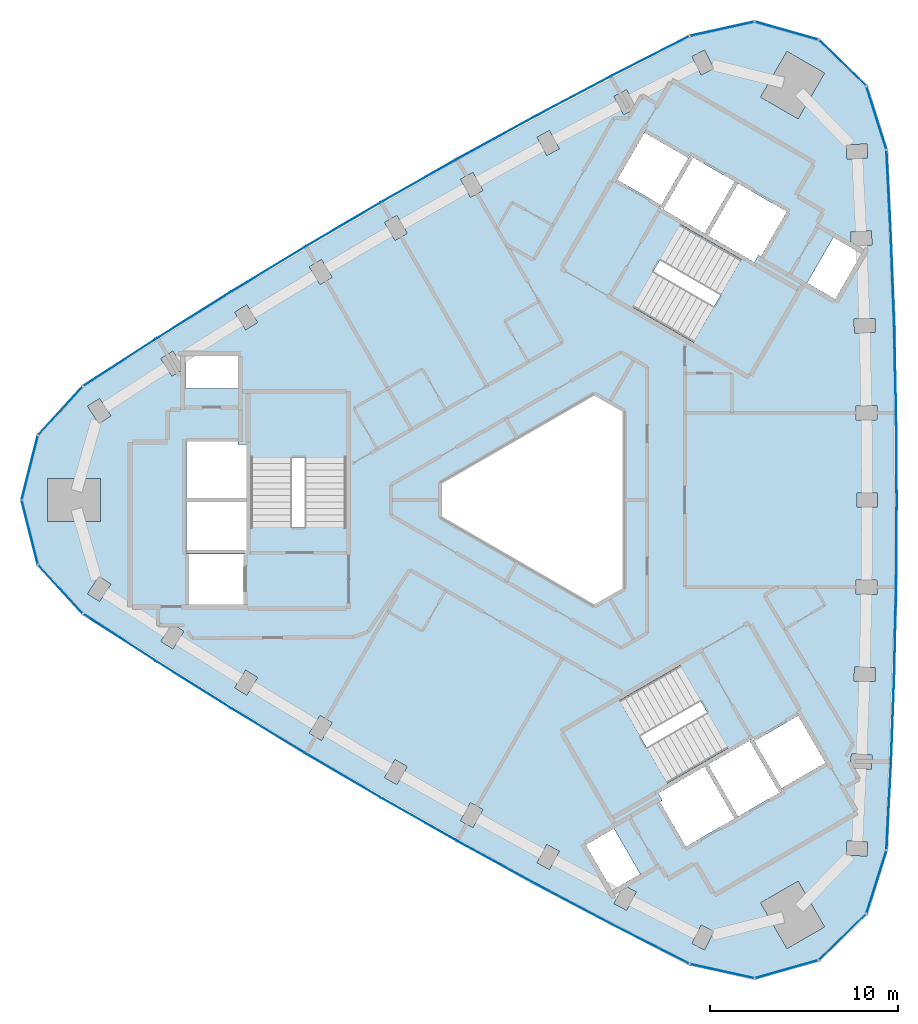
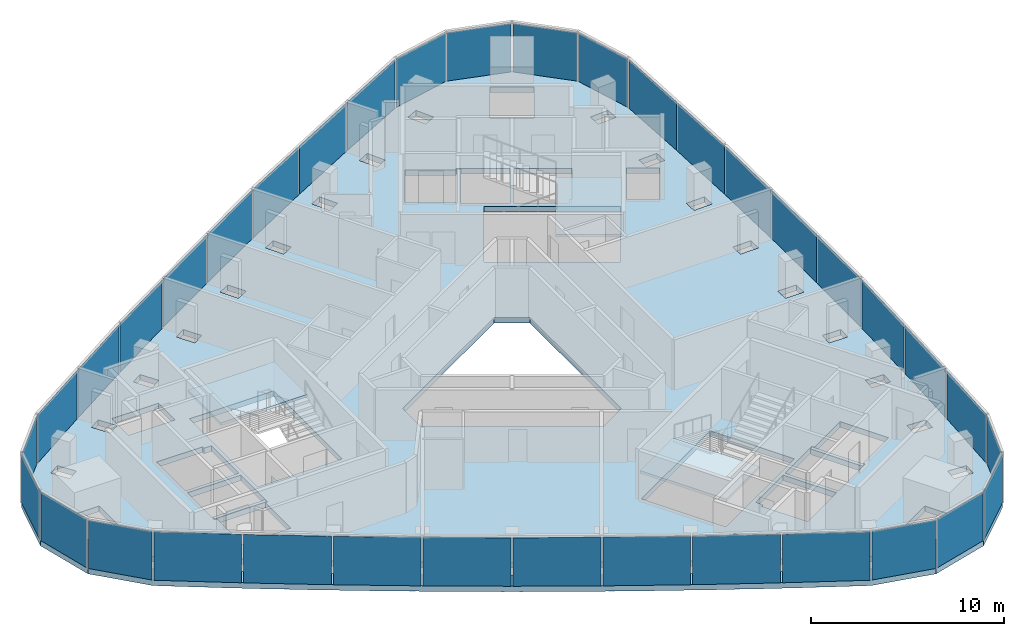
# One storey, part 6 of 11: 36 plates, 4 slabs, 6 elements without a shape of their own.
"""IFC4 building model written with IfcOpenShell, lengths in metres."""

from ifc_helpers import new_model, si_unit, direction, frame, origin, origin_2d, place, context, subcontext, project, spatial, polyline, rectangle, outline, extrude, material, layer, layer_set, type_object, element, aggregate, save


model = new_model("IFC4")

# Units and contexts
model_context = context("Model", 3, precision=1e-05, world=origin(), true_north=direction((0.0, 1.0)))
body_context = subcontext(model_context, "Body", "Model", "MODEL_VIEW")
ifc_project = project(units=[si_unit("LENGTHUNIT", "METRE"), si_unit("AREAUNIT", "SQUARE_METRE"), si_unit("VOLUMEUNIT", "CUBIC_METRE"), si_unit("PLANEANGLEUNIT", "RADIAN"), si_unit("MASSUNIT", "GRAM", prefix="KILO")], contexts=[model_context])

# Site, building, storey
site_placement = place(None, origin())
site = spatial("IfcSite", under=ifc_project, at=site_placement, CompositionType="ELEMENT")
building_placement = place(site_placement, origin())
building = spatial("IfcBuilding", under=site, at=building_placement, Name="Tamra Quay Hotel Tower", CompositionType="ELEMENT")
storey_placement = place(building_placement, frame((0.0, 0.0, 253.800048828125)))
storey = spatial("IfcBuildingStorey", under=building, at=storey_placement, Name="L64", CompositionType="ELEMENT", Elevation=253.800048828125)

# Stair, slab
ifc_material_1 = material(Name="Exit stair 2200 24 risers 150.0 going 342")
stair_type = type_object("IfcStairType", Name="Exit stair 2200 24 risers 150.0 going 342", PredefinedType="HALF_TURN_STAIR", material=ifc_material_1)
stair_1_placement = place(storey_placement, origin())
stair_1 = element("IfcStair", 1, at=stair_1_placement, inside=storey, type_object=stair_type, Name="L64 Exit stair ST3", PredefinedType="HALF_TURN_STAIR")
ifc_material_2 = material(Name="Concrete M70", Category="concrete")
ifc_layer_1 = layer(ifc_material_2, 0.175048828125)
ifc_layer_set_1 = layer_set([ifc_layer_1], Name="Concrete M70 stair landing 180")
slab_type_1 = type_object("IfcSlabType", Name="Concrete M70 stair landing 180", PredefinedType="LANDING", material=ifc_layer_set_1)
slab_1_placement = place(storey_placement, frame((0.0, 0.0, 1.625)))
slab_1 = element("IfcSlab", 2, at=slab_1_placement, type_object=slab_type_1, Name="ST3 landing 1", PredefinedType="LANDING", context=body_context, shape_type="SweptSolid", body=[
    extrude(outline(polyline([(-10.932373046875, 2.261962890625), (-10.932373046875, 5.679931640625), (-16.09130859375, 5.679931640625), (-16.09130859375, 2.261962890625), (-10.932373046875, 2.261962890625)])), origin(), (0.0, 0.0, 1.0), 0.175048828125),
])
aggregate(stair_1, [slab_1])

stair_2_placement = place(storey_placement, origin())
stair_2 = element("IfcStair", 3, at=stair_2_placement, inside=storey, type_object=stair_type, Name="L64 Exit stair ST1", PredefinedType="HALF_TURN_STAIR")
slab_2_placement = place(storey_placement, frame((0.0, 0.0, 1.625)))
slab_2 = element("IfcSlab", 4, at=slab_2_placement, type_object=slab_type_1, Name="ST1 landing 1", PredefinedType="LANDING", context=body_context, shape_type="SweptSolid", body=[
    extrude(outline(polyline([(7.425048828125, 8.336669921875), (10.385009765625, 6.627685546875), (12.964599609375, 11.095458984375), (10.00439453125, 12.804443359375), (7.425048828125, 8.336669921875)])), origin(), (0.0, 0.0, 1.0), 0.175048828125),
])
aggregate(stair_2, [slab_2])

stair_3_placement = place(storey_placement, origin())
stair_3 = element("IfcStair", 5, at=stair_3_placement, inside=storey, type_object=stair_type, Name="L64 Exit stair ST2", PredefinedType="HALF_TURN_STAIR")
slab_3_placement = place(storey_placement, frame((0.0, 0.0, 1.625)))
slab_3 = element("IfcSlab", 6, at=slab_3_placement, type_object=slab_type_1, Name="ST2 landing 1", PredefinedType="LANDING", context=body_context, shape_type="SweptSolid", body=[
    extrude(outline(polyline([(3.50732421875, -10.5986328125), (0.547119140625, -12.3076171875), (3.126708984375, -16.775390625), (6.086669921875, -15.06640625), (3.50732421875, -10.5986328125)])), origin(), (0.0, 0.0, 1.0), 0.175048828125),
])
aggregate(stair_3, [slab_3])

# Slab
ifc_material_3 = material(Name="Concrete M60", Category="concrete")
ifc_layer_2 = layer(ifc_material_3, 0.35009765625)
ifc_layer_set_2 = layer_set([ifc_layer_2], Name="FLOOR SLAB PT 350")
slab_type_2 = type_object("IfcSlabType", Name="FLOOR SLAB PT 350", PredefinedType="FLOOR", material=ifc_layer_set_2)
slab_4_placement = place(storey_placement, frame((0.0, 0.0, -0.35009765625)))
element("IfcSlab", 7, at=slab_4_placement, inside=storey, type_object=slab_type_2, Name="SLAB-L64", PredefinedType="FLOOR", context=body_context, shape_type="SweptSolid", body=[
    extrude(outline(polyline([(17.935791015625, 13.94091796875), (18.106689453125, 9.29541015625), (18.208984375, 4.648681640625), (18.243408203125, 0.0), (18.208984375, -4.648681640625), (18.106689453125, -9.29541015625), (17.935791015625, -13.94091796875), (17.69677734375, -18.5830078125), (16.633056640625, -21.9541015625), (14.09716796875, -24.4169921875), (10.6962890625, -25.3818359375), (7.244873046875, -24.617431640625), (3.105224609375, -22.50341796875), (-1.00341796875, -20.328369140625), (-5.078857421875, -18.093994140625), (-9.12158203125, -15.79931640625), (-13.13037109375, -13.4453125), (-17.103271484375, -11.033203125), (-21.041015625, -8.5625), (-24.941650390625, -6.034423828125), (-27.329345703125, -3.427490234375), (-28.1943359375, 0.0), (-27.329345703125, 3.427490234375), (-24.941650390625, 6.034423828125), (-21.041015625, 8.5625), (-17.103271484375, 11.033203125), (-13.13037109375, 13.4453125), (-9.12158203125, 15.79931640625), (-5.078857421875, 18.093994140625), (-1.00341796875, 20.328369140625), (3.105224609375, 22.50341796875), (7.244873046875, 24.617431640625), (10.6962890625, 25.3818359375), (14.09716796875, 24.4169921875), (16.633056640625, 21.9541015625), (17.69677734375, 18.5830078125), (17.935791015625, 13.94091796875)]), holes=[polyline([(-8.9345703125, -14.724853515625), (-8.284912109375, -15.099853515625), (-7.73486328125, -14.147216796875), (-8.384521484375, -13.772216796875), (-8.9345703125, -14.724853515625)]), polyline([(-12.927001953125, -12.373779296875), (-12.283203125, -12.758544921875), (-11.718994140625, -11.814208984375), (-12.36279296875, -11.4296875), (-12.927001953125, -12.373779296875)]), polyline([(-16.885009765625, -9.964599609375), (-16.24658203125, -10.3583984375), (-15.669189453125, -9.422119140625), (-16.3076171875, -9.0283203125), (-16.885009765625, -9.964599609375)]), polyline([(-20.21533203125, -6.56982421875), (-20.806640625, -7.497314453125), (-20.17431640625, -7.900634765625), (-19.5830078125, -6.972900390625), (-20.21533203125, -6.56982421875)]), polyline([(-24.08740234375, -4.05419921875), (-24.69189453125, -4.972900390625), (-24.0654296875, -5.38525390625), (-23.460693359375, -4.46630859375), (-24.08740234375, -4.05419921875)]), polyline([(-19.4072265625, -2.85498046875), (-19.4072265625, -2.89306640625), (-19.307373046875, -2.89306640625), (-19.307373046875, -5.544921875), (-16.417236328125, -5.544921875), (-16.417236328125, -2.89306640625), (-16.3173828125, -2.89306640625), (-16.3173828125, -2.85498046875), (-19.4072265625, -2.85498046875)]), polyline([(-19.417236328125, -2.89306640625), (-19.417236328125, -2.64501953125), (-16.307373046875, -2.64501953125), (-16.307373046875, -2.89306640625), (-16.26708984375, -2.89306640625), (-16.26708984375, -0.10498046875), (-19.45751953125, -0.10498046875), (-19.45751953125, -2.89306640625), (-19.417236328125, -2.89306640625)]), polyline([(-24.0205078125, 1.14990234375), (-26.8203125, 1.14990234375), (-26.8203125, -1.14990234375), (-24.0205078125, -1.14990234375), (-24.0205078125, 1.14990234375)]), polyline([(-16.707275390625, 2.945068359375), (-16.707275390625, 3.09521484375), (-19.45751953125, 3.09521484375), (-19.45751953125, 0.10498046875), (-16.26708984375, 0.10498046875), (-16.26708984375, 2.945068359375), (-16.707275390625, 2.945068359375)]), polyline([(-16.036376953125, -1.455078125), (-10.9873046875, -1.455078125), (-10.9873046875, 5.625), (-16.036376953125, 5.625), (-16.036376953125, -1.455078125)]), polyline([(-23.460693359375, 4.46630859375), (-24.0654296875, 5.38525390625), (-24.69189453125, 4.972900390625), (-24.08740234375, 4.05419921875), (-23.460693359375, 4.46630859375)]), polyline([(-19.50732421875, 7.64501953125), (-19.50732421875, 5.9150390625), (-16.71728515625, 5.9150390625), (-16.71728515625, 7.64501953125), (-19.50732421875, 7.64501953125)]), polyline([(-19.5830078125, 6.972900390625), (-20.17431640625, 7.900634765625), (-20.806640625, 7.497314453125), (-20.21533203125, 6.56982421875), (-19.5830078125, 6.972900390625)]), polyline([(-15.669189453125, 9.422119140625), (-16.24658203125, 10.3583984375), (-16.885009765625, 9.964599609375), (-16.3076171875, 9.0283203125), (-15.669189453125, 9.422119140625)]), polyline([(-12.283203125, 12.758544921875), (-12.927001953125, 12.373779296875), (-12.36279296875, 11.4296875), (-11.718994140625, 11.814208984375), (-12.283203125, 12.758544921875)]), polyline([(-7.73486328125, 14.147216796875), (-8.284912109375, 15.099853515625), (-8.9345703125, 14.724853515625), (-8.384521484375, 13.772216796875), (-7.73486328125, 14.147216796875)]), polyline([(7.8623046875, -22.55078125), (7.368896484375, -23.533935546875), (8.039306640625, -23.870361328125), (8.53271484375, -22.88720703125), (7.8623046875, -22.55078125)]), polyline([(3.2451171875, -21.421875), (3.910400390625, -21.767822265625), (4.41796875, -20.7919921875), (3.752685546875, -20.44580078125), (3.2451171875, -21.421875)]), polyline([(1.73779296875, -18.300048828125), (3.1328125, -20.71630859375), (4.631103515625, -19.851318359375), (3.236083984375, -17.43505859375), (1.73779296875, -18.300048828125)]), polyline([(-0.3251953125, -18.281005859375), (-0.847412109375, -19.2490234375), (-0.187255859375, -19.60498046875), (0.334716796875, -18.636962890625), (-0.3251953125, -18.281005859375)]), polyline([(-4.90771484375, -17.016845703125), (-4.252685546875, -17.382080078125), (-3.716796875, -16.42138671875), (-4.3720703125, -16.05615234375), (-4.90771484375, -17.016845703125)]), polyline([(5.5830078125, -15.560302734375), (5.80322265625, -15.94140625), (5.673095703125, -16.0166015625), (7.04833984375, -18.398193359375), (9.6376953125, -16.903076171875), (8.042724609375, -14.14013671875), (5.5830078125, -15.560302734375)]), polyline([(12.214111328125, -15.369384765625), (11.999267578125, -15.493408203125), (10.4443359375, -12.800048828125), (10.6591796875, -12.676025390625), (10.63916015625, -12.64111328125), (8.224609375, -14.03515625), (9.819580078125, -16.798095703125), (12.234130859375, -15.404052734375), (12.214111328125, -15.369384765625)]), polyline([(6.75390625, -8.78759765625), (0.622314453125, -12.32763671875), (3.146728515625, -16.7001953125), (9.2783203125, -13.160400390625), (6.75390625, -8.78759765625)]), polyline([(-6.0, 0.923828125), (-6.0, -0.923828125), (2.199951171875, -5.657958984375), (3.800048828125, -4.734375), (3.800048828125, 4.734375), (2.199951171875, 5.657958984375), (-6.0, 0.923828125)]), polyline([(4.2333984375, 10.242919921875), (10.364990234375, 6.702880859375), (12.889404296875, 11.075439453125), (6.758056640625, 14.615478515625), (4.2333984375, 10.242919921875)]), polyline([(7.203125, 18.262451171875), (7.41796875, 18.138427734375), (5.863037109375, 15.445068359375), (5.648193359375, 15.569091796875), (5.628173828125, 15.5341796875), (8.04248046875, 14.140380859375), (9.6376953125, 16.903076171875), (7.22314453125, 18.297119140625), (7.203125, 18.262451171875)]), polyline([(-3.716796875, 16.42138671875), (-4.252685546875, 17.382080078125), (-4.90771484375, 17.016845703125), (-4.3720703125, 16.05615234375), (-3.716796875, 16.42138671875)]), polyline([(7.231201171875, 18.234619140625), (7.1982421875, 18.253662109375), (7.148193359375, 18.1669921875), (4.8515625, 19.4931640625), (3.406494140625, 16.990234375), (5.703125, 15.664306640625), (5.6533203125, 15.57763671875), (5.68603515625, 15.55859375), (7.231201171875, 18.234619140625)]), polyline([(0.334716796875, 18.636962890625), (-0.187255859375, 19.60498046875), (-0.847412109375, 19.2490234375), (-0.3251953125, 18.281005859375), (0.334716796875, 18.636962890625)]), polyline([(4.41796875, 20.7919921875), (3.910400390625, 21.767822265625), (3.2451171875, 21.421875), (3.752685546875, 20.44580078125), (4.41796875, 20.7919921875)]), polyline([(8.039306640625, 23.870361328125), (7.368896484375, 23.533935546875), (7.8623046875, 22.55078125), (8.53271484375, 22.88720703125), (8.039306640625, 23.870361328125)]), polyline([(11.014404296875, -21.377197265625), (12.414306640625, -23.802001953125), (14.406005859375, -22.652099609375), (13.006103515625, -20.227294921875), (11.014404296875, -21.377197265625)]), polyline([(15.554443359375, -18.8330078125), (16.652587890625, -18.8974609375), (16.696533203125, -18.148681640625), (15.598388671875, -18.08447265625), (15.554443359375, -18.8330078125)]), polyline([(16.896240234375, -14.2705078125), (16.92919921875, -13.52099609375), (15.830322265625, -13.472900390625), (15.79736328125, -14.22216796875), (16.896240234375, -14.2705078125)]), polyline([(10.631103515625, -12.70361328125), (12.176025390625, -15.379638671875), (12.208984375, -15.360595703125), (12.1591796875, -15.274169921875), (14.455810546875, -13.947998046875), (13.0107421875, -11.4453125), (10.714111328125, -12.771240234375), (10.6640625, -12.6845703125), (10.631103515625, -12.70361328125)]), polyline([(15.97265625, -9.6083984375), (17.072265625, -9.640380859375), (17.093994140625, -8.890625), (15.994384765625, -8.85888671875), (15.97265625, -9.6083984375)]), polyline([(17.1796875, -5.00830078125), (17.19091796875, -4.25830078125), (16.091064453125, -4.24169921875), (16.079833984375, -4.99169921875), (17.1796875, -5.00830078125)]), polyline([(16.119384765625, -0.375), (17.219482421875, -0.375), (17.219482421875, 0.375), (16.119384765625, 0.375), (16.119384765625, -0.375)]), polyline([(16.091064453125, 4.24169921875), (17.19091796875, 4.25830078125), (17.1796875, 5.00830078125), (16.079833984375, 4.99169921875), (16.091064453125, 4.24169921875)]), polyline([(17.093994140625, 8.890625), (17.072265625, 9.640380859375), (15.97265625, 9.6083984375), (15.994384765625, 8.85888671875), (17.093994140625, 8.890625)]), polyline([(14.9794921875, 10.655029296875), (16.37451171875, 13.0712890625), (14.876220703125, 13.936279296875), (13.481201171875, 11.52001953125), (14.9794921875, 10.655029296875)]), polyline([(15.830322265625, 13.472900390625), (16.92919921875, 13.52099609375), (16.896240234375, 14.2705078125), (15.79736328125, 14.22216796875), (15.830322265625, 13.472900390625)]), polyline([(10.904052734375, 12.996337890625), (11.0341796875, 12.92138671875), (12.4091796875, 15.302978515625), (9.819580078125, 16.798095703125), (8.224365234375, 14.035400390625), (10.68408203125, 12.615234375), (10.904052734375, 12.996337890625)]), polyline([(15.598388671875, 18.08447265625), (16.696533203125, 18.148681640625), (16.652587890625, 18.8974609375), (15.554443359375, 18.8330078125), (15.598388671875, 18.08447265625)]), polyline([(13.006103515625, 20.227294921875), (14.406005859375, 22.652099609375), (12.414306640625, 23.802001953125), (11.014404296875, 21.377197265625), (13.006103515625, 20.227294921875)])]), origin(), (0.0, 0.0, 1.0), 0.35009765625),
])

# Curtain wall, plates
ifc_material_4 = material(Name="Aluminium 6063 anodised dark grey", Category="aluminium")
curtain_wall_type_1 = type_object("IfcCurtainWallType", Name="CW1 CURTAIN WALL", PredefinedType="NOTDEFINED", material=ifc_material_4)
curtain_wall_1_placement = place(storey_placement, origin())
curtain_wall_1 = element("IfcCurtainWall", 8, at=curtain_wall_1_placement, inside=storey, type_object=curtain_wall_type_1, Name="CW1 east face L64", PredefinedType="NOTDEFINED")
ifc_material_5 = material(Name="Glass clear laminated low-iron", Category="glass")
ifc_layer_3 = layer(ifc_material_5, 0.028076171875)
ifc_layer_set_3 = layer_set([ifc_layer_3], Name="GLASS PANEL CW1 Z5")
plate_type_1 = type_object("IfcPlateType", Name="GLASS PANEL CW1 Z5", PredefinedType="CURTAIN_PANEL", material=ifc_layer_set_3)
plate_1_placement = place(storey_placement, frame((17.81640625, -16.261962890625, 0.0), z_axis=(0.0, 0.0, 1.0), x_axis=(0.051403368539, 0.998677972974, 0.0)))
plate_1 = element("IfcPlate", 9, at=plate_1_placement, type_object=plate_type_1, Name="CW1 glass L64.E.1", PredefinedType="CURTAIN_PANEL", context=body_context, shape_type="SweptSolid", body=[
    extrude(rectangle(XDim=4.54833984375, YDim=0.028076171875, at=origin_2d()), origin(), (0.0, 0.0, 1.0), 3.06005859375),
])
plate_2_placement = place(storey_placement, frame((18.021240234375, -11.617919921875, 0.0), z_axis=(0.0, 0.0, 1.0), x_axis=(0.036744655796, 0.999324687111, 0.0)))
plate_2 = element("IfcPlate", 10, at=plate_2_placement, type_object=plate_type_1, Name="CW1 glass L64.E.2", PredefinedType="CURTAIN_PANEL", context=body_context, shape_type="SweptSolid", body=[
    extrude(rectangle(XDim=4.548583984375, YDim=0.028076171875, at=origin_2d()), origin(), (0.0, 0.0, 1.0), 3.06005859375),
])
plate_3_placement = place(storey_placement, frame((18.157958984375, -6.971923828125, 0.0), z_axis=(0.0, 0.0, 1.0), x_axis=(0.022062883967, 0.99975658495, 0.0)))
plate_3 = element("IfcPlate", 11, at=plate_3_placement, type_object=plate_type_1, Name="CW1 glass L64.E.3", PredefinedType="CURTAIN_PANEL", context=body_context, shape_type="SweptSolid", body=[
    extrude(rectangle(XDim=4.5478515625, YDim=0.028076171875, at=origin_2d()), origin(), (0.0, 0.0, 1.0), 3.06005859375),
])
plate_4_placement = place(storey_placement, frame((18.226318359375, -2.32421875, 0.0), z_axis=(0.0, 0.0, 1.0), x_axis=(0.007361813182, 0.999972901486, 0.0)))
plate_4 = element("IfcPlate", 12, at=plate_4_placement, type_object=plate_type_1, Name="CW1 glass L64.E.4", PredefinedType="CURTAIN_PANEL", context=body_context, shape_type="SweptSolid", body=[
    extrude(rectangle(XDim=4.548828125, YDim=0.028076171875, at=origin_2d()), origin(), (0.0, 0.0, 1.0), 3.06005859375),
])
plate_5_placement = place(storey_placement, frame((18.226318359375, 2.32421875, 0.0), z_axis=(0.0, 0.0, 1.0), x_axis=(-0.007361813182, 0.999972901486, 0.0)))
plate_5 = element("IfcPlate", 13, at=plate_5_placement, type_object=plate_type_1, Name="CW1 glass L64.E.5", PredefinedType="CURTAIN_PANEL", context=body_context, shape_type="SweptSolid", body=[
    extrude(rectangle(XDim=4.548828125, YDim=0.028076171875, at=origin_2d()), origin(), (0.0, 0.0, 1.0), 3.06005859375),
])
plate_6_placement = place(storey_placement, frame((18.157958984375, 6.971923828125, 0.0), z_axis=(0.0, 0.0, 1.0), x_axis=(-0.022062883967, 0.99975658495, 0.0)))
plate_6 = element("IfcPlate", 14, at=plate_6_placement, type_object=plate_type_1, Name="CW1 glass L64.E.6", PredefinedType="CURTAIN_PANEL", context=body_context, shape_type="SweptSolid", body=[
    extrude(rectangle(XDim=4.5478515625, YDim=0.028076171875, at=origin_2d()), origin(), (0.0, 0.0, 1.0), 3.06005859375),
])
plate_7_placement = place(storey_placement, frame((18.021240234375, 11.617919921875, 0.0), z_axis=(0.0, 0.0, 1.0), x_axis=(-0.036744655796, 0.999324687111, 0.0)))
plate_7 = element("IfcPlate", 15, at=plate_7_placement, type_object=plate_type_1, Name="CW1 glass L64.E.7", PredefinedType="CURTAIN_PANEL", context=body_context, shape_type="SweptSolid", body=[
    extrude(rectangle(XDim=4.548583984375, YDim=0.028076171875, at=origin_2d()), origin(), (0.0, 0.0, 1.0), 3.06005859375),
])
plate_8_placement = place(storey_placement, frame((17.81640625, 16.261962890625, 0.0), z_axis=(0.0, 0.0, 1.0), x_axis=(-0.051403368539, 0.998677972974, 0.0)))
plate_8 = element("IfcPlate", 16, at=plate_8_placement, type_object=plate_type_1, Name="CW1 glass L64.E.8", PredefinedType="CURTAIN_PANEL", context=body_context, shape_type="SweptSolid", body=[
    extrude(rectangle(XDim=4.54833984375, YDim=0.028076171875, at=origin_2d()), origin(), (0.0, 0.0, 1.0), 3.06005859375),
])
plate_9_placement = place(storey_placement, frame((17.1650390625, 20.2685546875, 0.0), z_axis=(0.0, 0.0, 1.0), x_axis=(-0.30090299279, 0.95365475353, 0.0)))
plate_9 = element("IfcPlate", 17, at=plate_9_placement, type_object=plate_type_1, Name="CW1 glass L64.E.9", PredefinedType="CURTAIN_PANEL", context=body_context, shape_type="SweptSolid", body=[
    extrude(rectangle(XDim=3.43505859375, YDim=0.028076171875, at=origin_2d()), origin(), (0.0, 0.0, 1.0), 3.06005859375),
])
plate_10_placement = place(storey_placement, frame((15.365234375, 23.185546875, 0.0), z_axis=(0.0, 0.0, 1.0), x_axis=(-0.717364100925, 0.696698461821, 0.0)))
plate_10 = element("IfcPlate", 18, at=plate_10_placement, type_object=plate_type_1, Name="CW1 glass L64.E.10", PredefinedType="CURTAIN_PANEL", context=body_context, shape_type="SweptSolid", body=[
    extrude(rectangle(XDim=3.43505859375, YDim=0.028076171875, at=origin_2d()), origin(), (0.0, 0.0, 1.0), 3.06005859375),
])
plate_11_placement = place(storey_placement, frame((12.396728515625, 24.8994140625, 0.0), z_axis=(0.0, 0.0, 1.0), x_axis=(-0.962040617177, 0.272906304254, 0.0)))
plate_11 = element("IfcPlate", 19, at=plate_11_placement, type_object=plate_type_1, Name="CW1 glass L64.E.11", PredefinedType="CURTAIN_PANEL", context=body_context, shape_type="SweptSolid", body=[
    extrude(rectangle(XDim=3.43505859375, YDim=0.028076171875, at=origin_2d()), origin(), (0.0, 0.0, 1.0), 3.06005859375),
])
plate_12_placement = place(storey_placement, frame((8.970458984375, 24.99951171875, 0.0), z_axis=(0.0, 0.0, 1.0), x_axis=(-0.976340739392, -0.216237740934, 0.0)))
plate_12 = element("IfcPlate", 20, at=plate_12_placement, type_object=plate_type_1, Name="CW1 glass L64.E.12", PredefinedType="CURTAIN_PANEL", context=body_context, shape_type="SweptSolid", body=[
    extrude(rectangle(XDim=3.43505859375, YDim=0.028076171875, at=origin_2d()), origin(), (0.0, 0.0, 1.0), 3.06005859375),
])
aggregate(curtain_wall_1, [plate_1, plate_2, plate_3, plate_4, plate_5, plate_6, plate_7, plate_8, plate_9, plate_10, plate_11, plate_12])

curtain_wall_type_2 = type_object("IfcCurtainWallType", Name="CW2 CURTAIN WALL", PredefinedType="NOTDEFINED", material=ifc_material_4)
curtain_wall_2_placement = place(storey_placement, origin())
curtain_wall_2 = element("IfcCurtainWall", 21, at=curtain_wall_2_placement, inside=storey, type_object=curtain_wall_type_2, Name="CW2 north-west face L64", PredefinedType="NOTDEFINED")
ifc_layer_4 = layer(ifc_material_5, 0.028076171875)
ifc_layer_set_4 = layer_set([ifc_layer_4], Name="GLASS PANEL CW2 Z5")
plate_type_2 = type_object("IfcPlateType", Name="GLASS PANEL CW2 Z5", PredefinedType="CURTAIN_PANEL", material=ifc_layer_set_4)
plate_13_placement = place(storey_placement, frame((5.175048828125, 23.560302734375, 0.0), z_axis=(0.0, 0.0, 1.0), x_axis=(-0.890582179064, -0.454822363492, 0.0)))
plate_13 = element("IfcPlate", 22, at=plate_13_placement, type_object=plate_type_2, Name="CW2 glass L64.NW.1", PredefinedType="CURTAIN_PANEL", context=body_context, shape_type="SweptSolid", body=[
    extrude(rectangle(XDim=4.54833984375, YDim=0.028076171875, at=origin_2d()), origin(), (0.0, 0.0, 1.0), 3.06005859375),
])
plate_14_placement = place(storey_placement, frame((1.051025390625, 21.415771484375, 0.0), z_axis=(0.0, 0.0, 1.0), x_axis=(-0.883812893566, -0.467840538183, 0.0)))
plate_14 = element("IfcPlate", 23, at=plate_14_placement, type_object=plate_type_2, Name="CW2 glass L64.NW.2", PredefinedType="CURTAIN_PANEL", context=body_context, shape_type="SweptSolid", body=[
    extrude(rectangle(XDim=4.548583984375, YDim=0.028076171875, at=origin_2d()), origin(), (0.0, 0.0, 1.0), 3.06005859375),
])
plate_15_placement = place(storey_placement, frame((-3.041015625, 19.211181640625, 0.0), z_axis=(0.0, 0.0, 1.0), x_axis=(-0.876846042151, -0.480771274479, 0.0)))
plate_15 = element("IfcPlate", 24, at=plate_15_placement, type_object=plate_type_2, Name="CW2 glass L64.NW.3", PredefinedType="CURTAIN_PANEL", context=body_context, shape_type="SweptSolid", body=[
    extrude(rectangle(XDim=4.5478515625, YDim=0.028076171875, at=origin_2d()), origin(), (0.0, 0.0, 1.0), 3.06005859375),
])
plate_16_placement = place(storey_placement, frame((-7.100341796875, 16.946533203125, 0.0), z_axis=(0.0, 0.0, 1.0), x_axis=(-0.869682842374, -0.493610933509, 0.0)))
plate_16 = element("IfcPlate", 25, at=plate_16_placement, type_object=plate_type_2, Name="CW2 glass L64.NW.4", PredefinedType="CURTAIN_PANEL", context=body_context, shape_type="SweptSolid", body=[
    extrude(rectangle(XDim=4.548828125, YDim=0.028076171875, at=origin_2d()), origin(), (0.0, 0.0, 1.0), 3.06005859375),
])
plate_17_placement = place(storey_placement, frame((-11.1259765625, 14.622314453125, 0.0), z_axis=(0.0, 0.0, 1.0), x_axis=(-0.862321029192, -0.506361967977, 0.0)))
plate_17 = element("IfcPlate", 26, at=plate_17_placement, type_object=plate_type_2, Name="CW2 glass L64.NW.5", PredefinedType="CURTAIN_PANEL", context=body_context, shape_type="SweptSolid", body=[
    extrude(rectangle(XDim=4.548828125, YDim=0.028076171875, at=origin_2d()), origin(), (0.0, 0.0, 1.0), 3.06005859375),
])
plate_18_placement = place(storey_placement, frame((-15.11669921875, 12.2392578125, 0.0), z_axis=(0.0, 0.0, 1.0), x_axis=(-0.854783158184, -0.518985310471, 0.0)))
plate_18 = element("IfcPlate", 27, at=plate_18_placement, type_object=plate_type_2, Name="CW2 glass L64.NW.6", PredefinedType="CURTAIN_PANEL", context=body_context, shape_type="SweptSolid", body=[
    extrude(rectangle(XDim=4.5478515625, YDim=0.028076171875, at=origin_2d()), origin(), (0.0, 0.0, 1.0), 3.06005859375),
])
plate_19_placement = place(storey_placement, frame((-19.072021484375, 9.7978515625, 0.0), z_axis=(0.0, 0.0, 1.0), x_axis=(-0.847068237769, -0.531484148929, 0.0)))
plate_19 = element("IfcPlate", 28, at=plate_19_placement, type_object=plate_type_2, Name="CW2 glass L64.NW.7", PredefinedType="CURTAIN_PANEL", context=body_context, shape_type="SweptSolid", body=[
    extrude(rectangle(XDim=4.548583984375, YDim=0.028076171875, at=origin_2d()), origin(), (0.0, 0.0, 1.0), 3.06005859375),
])
plate_20_placement = place(storey_placement, frame((-22.991455078125, 7.29833984375, 0.0), z_axis=(0.0, 0.0, 1.0), x_axis=(-0.839178810526, -0.543855609481, 0.0)))
plate_20 = element("IfcPlate", 29, at=plate_20_placement, type_object=plate_type_2, Name="CW2 glass L64.NW.8", PredefinedType="CURTAIN_PANEL", context=body_context, shape_type="SweptSolid", body=[
    extrude(rectangle(XDim=4.54833984375, YDim=0.028076171875, at=origin_2d()), origin(), (0.0, 0.0, 1.0), 3.06005859375),
])
plate_21_placement = place(storey_placement, frame((-26.135498046875, 4.73095703125, 0.0), z_axis=(0.0, 0.0, 1.0), x_axis=(-0.675437746601, -0.737417012596, 0.0)))
plate_21 = element("IfcPlate", 30, at=plate_21_placement, type_object=plate_type_2, Name="CW2 glass L64.NW.9", PredefinedType="CURTAIN_PANEL", context=body_context, shape_type="SweptSolid", body=[
    extrude(rectangle(XDim=3.43505859375, YDim=0.028076171875, at=origin_2d()), origin(), (0.0, 0.0, 1.0), 3.06005859375),
])
plate_22_placement = place(storey_placement, frame((-27.761962890625, 1.7138671875, 0.0), z_axis=(0.0, 0.0, 1.0), x_axis=(-0.244676516252, -0.969604766075, 0.0)))
plate_22 = element("IfcPlate", 31, at=plate_22_placement, type_object=plate_type_2, Name="CW2 glass L64.NW.10", PredefinedType="CURTAIN_PANEL", context=body_context, shape_type="SweptSolid", body=[
    extrude(rectangle(XDim=3.43505859375, YDim=0.028076171875, at=origin_2d()), origin(), (0.0, 0.0, 1.0), 3.06005859375),
])
plate_23_placement = place(storey_placement, frame((-27.761962890625, -1.7138671875, 0.0), z_axis=(0.0, 0.0, 1.0), x_axis=(0.244676516252, -0.969604766075, 0.0)))
plate_23 = element("IfcPlate", 32, at=plate_23_placement, type_object=plate_type_2, Name="CW2 glass L64.NW.11", PredefinedType="CURTAIN_PANEL", context=body_context, shape_type="SweptSolid", body=[
    extrude(rectangle(XDim=3.43505859375, YDim=0.028076171875, at=origin_2d()), origin(), (0.0, 0.0, 1.0), 3.06005859375),
])
plate_24_placement = place(storey_placement, frame((-26.135498046875, -4.73095703125, 0.0), z_axis=(0.0, 0.0, 1.0), x_axis=(0.675437746601, -0.737417012596, 0.0)))
plate_24 = element("IfcPlate", 33, at=plate_24_placement, type_object=plate_type_2, Name="CW2 glass L64.NW.12", PredefinedType="CURTAIN_PANEL", context=body_context, shape_type="SweptSolid", body=[
    extrude(rectangle(XDim=3.43505859375, YDim=0.028076171875, at=origin_2d()), origin(), (0.0, 0.0, 1.0), 3.06005859375),
])
aggregate(curtain_wall_2, [plate_13, plate_14, plate_15, plate_16, plate_17, plate_18, plate_19, plate_20, plate_21, plate_22, plate_23, plate_24])

curtain_wall_type_3 = type_object("IfcCurtainWallType", Name="CW3 CURTAIN WALL", PredefinedType="NOTDEFINED", material=ifc_material_4)
curtain_wall_3_placement = place(storey_placement, origin())
curtain_wall_3 = element("IfcCurtainWall", 34, at=curtain_wall_3_placement, inside=storey, type_object=curtain_wall_type_3, Name="CW3 south-west face L64", PredefinedType="NOTDEFINED")
ifc_layer_5 = layer(ifc_material_5, 0.028076171875)
ifc_layer_set_5 = layer_set([ifc_layer_5], Name="GLASS PANEL CW3 Z5")
plate_type_3 = type_object("IfcPlateType", Name="GLASS PANEL CW3 Z5", PredefinedType="CURTAIN_PANEL", material=ifc_layer_set_5)
plate_25_placement = place(storey_placement, frame((-22.991455078125, -7.29833984375, 0.0), z_axis=(0.0, 0.0, 1.0), x_axis=(0.839178810526, -0.543855609481, 0.0)))
plate_25 = element("IfcPlate", 35, at=plate_25_placement, type_object=plate_type_3, Name="CW3 glass L64.SW.1", PredefinedType="CURTAIN_PANEL", context=body_context, shape_type="SweptSolid", body=[
    extrude(rectangle(XDim=4.54833984375, YDim=0.028076171875, at=origin_2d()), origin(), (0.0, 0.0, 1.0), 3.06005859375),
])
plate_26_placement = place(storey_placement, frame((-19.072021484375, -9.7978515625, 0.0), z_axis=(0.0, 0.0, 1.0), x_axis=(0.847068237769, -0.531484148929, 0.0)))
plate_26 = element("IfcPlate", 36, at=plate_26_placement, type_object=plate_type_3, Name="CW3 glass L64.SW.2", PredefinedType="CURTAIN_PANEL", context=body_context, shape_type="SweptSolid", body=[
    extrude(rectangle(XDim=4.548583984375, YDim=0.028076171875, at=origin_2d()), origin(), (0.0, 0.0, 1.0), 3.06005859375),
])
plate_27_placement = place(storey_placement, frame((-15.11669921875, -12.2392578125, 0.0), z_axis=(0.0, 0.0, 1.0), x_axis=(0.854783158184, -0.518985310471, 0.0)))
plate_27 = element("IfcPlate", 37, at=plate_27_placement, type_object=plate_type_3, Name="CW3 glass L64.SW.3", PredefinedType="CURTAIN_PANEL", context=body_context, shape_type="SweptSolid", body=[
    extrude(rectangle(XDim=4.5478515625, YDim=0.028076171875, at=origin_2d()), origin(), (0.0, 0.0, 1.0), 3.06005859375),
])
plate_28_placement = place(storey_placement, frame((-11.1259765625, -14.622314453125, 0.0), z_axis=(0.0, 0.0, 1.0), x_axis=(0.862321029192, -0.506361967977, 0.0)))
plate_28 = element("IfcPlate", 38, at=plate_28_placement, type_object=plate_type_3, Name="CW3 glass L64.SW.4", PredefinedType="CURTAIN_PANEL", context=body_context, shape_type="SweptSolid", body=[
    extrude(rectangle(XDim=4.548828125, YDim=0.028076171875, at=origin_2d()), origin(), (0.0, 0.0, 1.0), 3.06005859375),
])
plate_29_placement = place(storey_placement, frame((-7.100341796875, -16.946533203125, 0.0), z_axis=(0.0, 0.0, 1.0), x_axis=(0.869682842374, -0.493610933509, 0.0)))
plate_29 = element("IfcPlate", 39, at=plate_29_placement, type_object=plate_type_3, Name="CW3 glass L64.SW.5", PredefinedType="CURTAIN_PANEL", context=body_context, shape_type="SweptSolid", body=[
    extrude(rectangle(XDim=4.548828125, YDim=0.028076171875, at=origin_2d()), origin(), (0.0, 0.0, 1.0), 3.06005859375),
])
plate_30_placement = place(storey_placement, frame((-3.041015625, -19.211181640625, 0.0), z_axis=(0.0, 0.0, 1.0), x_axis=(0.876846042151, -0.480771274479, 0.0)))
plate_30 = element("IfcPlate", 40, at=plate_30_placement, type_object=plate_type_3, Name="CW3 glass L64.SW.6", PredefinedType="CURTAIN_PANEL", context=body_context, shape_type="SweptSolid", body=[
    extrude(rectangle(XDim=4.5478515625, YDim=0.028076171875, at=origin_2d()), origin(), (0.0, 0.0, 1.0), 3.06005859375),
])
plate_31_placement = place(storey_placement, frame((1.051025390625, -21.415771484375, 0.0), z_axis=(0.0, 0.0, 1.0), x_axis=(0.883812893566, -0.467840538183, 0.0)))
plate_31 = element("IfcPlate", 41, at=plate_31_placement, type_object=plate_type_3, Name="CW3 glass L64.SW.7", PredefinedType="CURTAIN_PANEL", context=body_context, shape_type="SweptSolid", body=[
    extrude(rectangle(XDim=4.548583984375, YDim=0.028076171875, at=origin_2d()), origin(), (0.0, 0.0, 1.0), 3.06005859375),
])
plate_32_placement = place(storey_placement, frame((5.175048828125, -23.560302734375, 0.0), z_axis=(0.0, 0.0, 1.0), x_axis=(0.890582179064, -0.454822363492, 0.0)))
plate_32 = element("IfcPlate", 42, at=plate_32_placement, type_object=plate_type_3, Name="CW3 glass L64.SW.8", PredefinedType="CURTAIN_PANEL", context=body_context, shape_type="SweptSolid", body=[
    extrude(rectangle(XDim=4.54833984375, YDim=0.028076171875, at=origin_2d()), origin(), (0.0, 0.0, 1.0), 3.06005859375),
])
plate_33_placement = place(storey_placement, frame((8.970458984375, -24.99951171875, 0.0), z_axis=(0.0, 0.0, 1.0), x_axis=(0.976340739392, -0.216237740934, 0.0)))
plate_33 = element("IfcPlate", 43, at=plate_33_placement, type_object=plate_type_3, Name="CW3 glass L64.SW.9", PredefinedType="CURTAIN_PANEL", context=body_context, shape_type="SweptSolid", body=[
    extrude(rectangle(XDim=3.43505859375, YDim=0.028076171875, at=origin_2d()), origin(), (0.0, 0.0, 1.0), 3.06005859375),
])
plate_34_placement = place(storey_placement, frame((12.396728515625, -24.8994140625, 0.0), z_axis=(0.0, 0.0, 1.0), x_axis=(0.962040617177, 0.272906304254, 0.0)))
plate_34 = element("IfcPlate", 44, at=plate_34_placement, type_object=plate_type_3, Name="CW3 glass L64.SW.10", PredefinedType="CURTAIN_PANEL", context=body_context, shape_type="SweptSolid", body=[
    extrude(rectangle(XDim=3.43505859375, YDim=0.028076171875, at=origin_2d()), origin(), (0.0, 0.0, 1.0), 3.06005859375),
])
plate_35_placement = place(storey_placement, frame((15.365234375, -23.185546875, 0.0), z_axis=(0.0, 0.0, 1.0), x_axis=(0.717364100925, 0.696698461821, 0.0)))
plate_35 = element("IfcPlate", 45, at=plate_35_placement, type_object=plate_type_3, Name="CW3 glass L64.SW.11", PredefinedType="CURTAIN_PANEL", context=body_context, shape_type="SweptSolid", body=[
    extrude(rectangle(XDim=3.43505859375, YDim=0.028076171875, at=origin_2d()), origin(), (0.0, 0.0, 1.0), 3.06005859375),
])
plate_36_placement = place(storey_placement, frame((17.1650390625, -20.2685546875, 0.0), z_axis=(0.0, 0.0, 1.0), x_axis=(0.30090299279, 0.95365475353, 0.0)))
plate_36 = element("IfcPlate", 46, at=plate_36_placement, type_object=plate_type_3, Name="CW3 glass L64.SW.12", PredefinedType="CURTAIN_PANEL", context=body_context, shape_type="SweptSolid", body=[
    extrude(rectangle(XDim=3.43505859375, YDim=0.028076171875, at=origin_2d()), origin(), (0.0, 0.0, 1.0), 3.06005859375),
])
aggregate(curtain_wall_3, [plate_25, plate_26, plate_27, plate_28, plate_29, plate_30, plate_31, plate_32, plate_33, plate_34, plate_35, plate_36])

save(model, "model.ifc")
